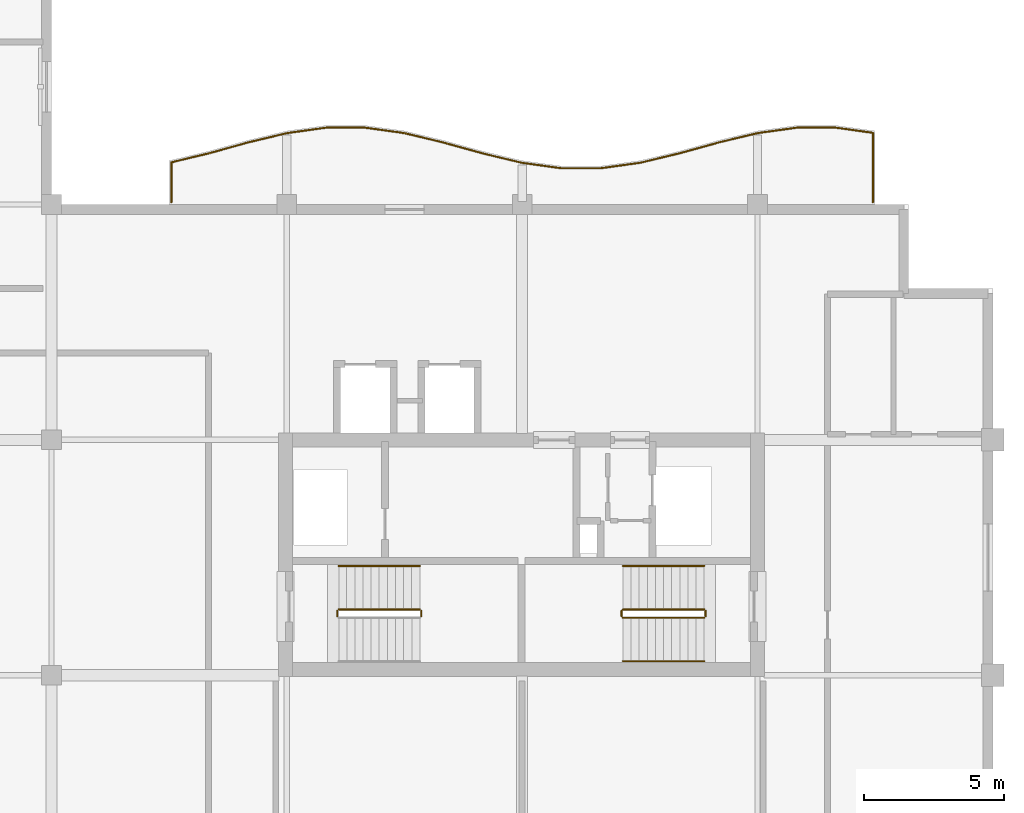
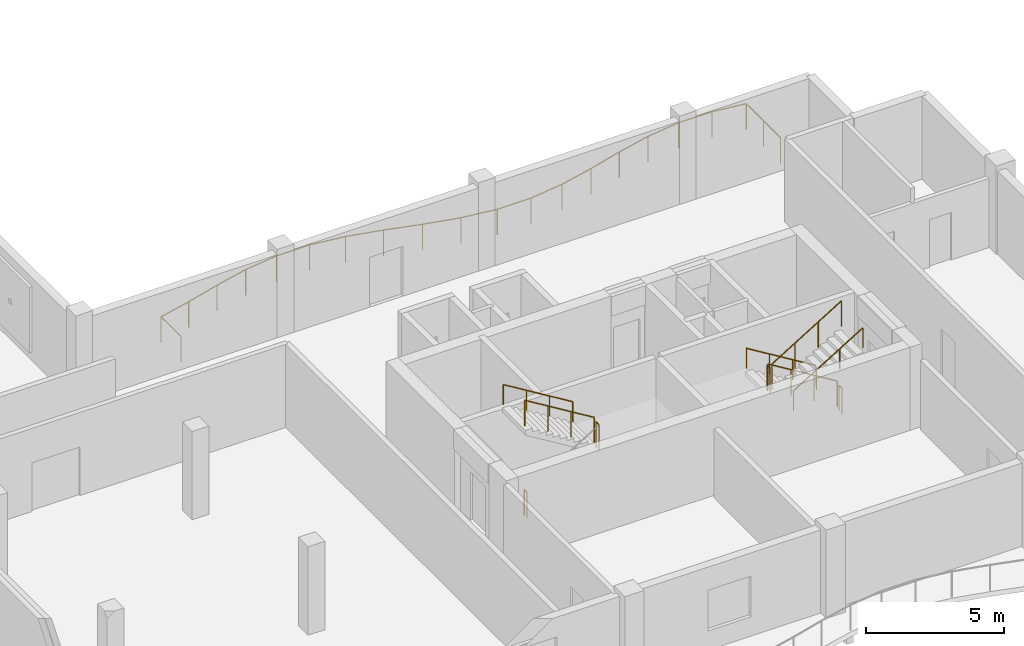
# One storey, part 10 of 11: 11 railings.
"""IFC4 building model written with IfcOpenShell, lengths in metres."""

from ifc_helpers import new_model, si_unit, direction, frame, origin, origin_2d, place, context, subcontext, project, spatial, circle, extrude, material, type_object, element, save


model = new_model("IFC4")

# Units and contexts
model_context = context("Model", 3, precision=1e-05, world=origin(), true_north=direction((0.0, 1.0)))
body_context = subcontext(model_context, "Body", "Model", "MODEL_VIEW")
ifc_project = project(units=[si_unit("LENGTHUNIT", "METRE"), si_unit("AREAUNIT", "SQUARE_METRE"), si_unit("VOLUMEUNIT", "CUBIC_METRE"), si_unit("PLANEANGLEUNIT", "RADIAN"), si_unit("MASSUNIT", "GRAM", prefix="KILO")], contexts=[model_context])

# Site, building, storey
site_placement = place(None, origin())
site = spatial("IfcSite", under=ifc_project, at=site_placement, CompositionType="ELEMENT")
building_placement = place(site_placement, origin())
building = spatial("IfcBuilding", under=site, at=building_placement, Name="Koriwani Terraces Tower", CompositionType="ELEMENT")
storey_placement = place(building_placement, frame((0.0, 0.0, 343.699951171875)))
storey = spatial("IfcBuildingStorey", under=building, at=storey_placement, Name="L85", CompositionType="ELEMENT", Elevation=343.699951171875)

# Railings
ifc_material = material(Name="Steel ASTM A572 Grade 50", Category="steel")
railing_type_1 = type_object("IfcRailingType", Name="GUARD_BALUSTRADE_1150", PredefinedType="BALUSTRADE", material=ifc_material)
railing_1_placement = place(storey_placement, frame((62.919921875, 33.679931640625, 0.0)))
element("IfcRailing", 1, at=railing_1_placement, inside=storey, type_object=railing_type_1, Name="L85 Balcony Perimeter Safety Balustrade (NE)", PredefinedType="BALUSTRADE", context=body_context, shape_type="SweptSolid", body=[
    extrude(circle(Radius=0.02392578125, at=origin_2d()), frame((0.0, 0.0, 1.1259765625), z_axis=(0.0, 1.0, 0.0), x_axis=(-1.0, 0.0, 0.0)), (0.0, 0.0, 1.0), 2.480712890625),
    extrude(circle(Radius=0.02392578125, at=origin_2d()), frame((0.0, 2.480712890625, 1.1259765625), z_axis=(-0.990517807296, 0.137384400238, 0.0), x_axis=(-0.137384400238, -0.990517807296, 0.0)), (0.0, 0.0, 1.0), 1.338134765625),
    extrude(circle(Radius=0.02392578125, at=origin_2d()), frame((-1.325439453125, 2.66455078125, 1.1259765625), z_axis=(-1.0, 0.0, 0.0), x_axis=(0.0, -1.0, 0.0)), (0.0, 0.0, 1.0), 1.388916015625),
    extrude(circle(Radius=0.02392578125, at=origin_2d()), frame((-2.71435546875, 2.66455078125, 1.1259765625), z_axis=(-0.990518583157, -0.137378806302, 0.0), x_axis=(0.137378806302, -0.990518583157, 0.0)), (0.0, 0.0, 1.0), 1.404052734375),
    extrude(circle(Radius=0.02392578125, at=origin_2d()), frame((-4.10498046875, 2.4716796875, 1.1259765625), z_axis=(-0.972362581689, -0.23347592966, 0.0), x_axis=(0.23347592966, -0.972362581689, 0.0)), (0.0, 0.0, 1.0), 1.4345703125),
    extrude(circle(Radius=0.02392578125, at=origin_2d()), frame((-5.5, 2.13671875, 1.1259765625), z_axis=(-0.963638196753, -0.267210452187, 0.0), x_axis=(0.267210452187, -0.963638196753, 0.0)), (0.0, 0.0, 1.0), 1.45263671875),
    extrude(circle(Radius=0.02392578125, at=origin_2d()), frame((-6.89990234375, 1.74853515625, 1.1259765625), z_axis=(-0.972404167631, -0.233302667738, 0.0), x_axis=(0.233302667738, -0.972404167631, 0.0)), (0.0, 0.0, 1.0), 1.445068359375),
    extrude(circle(Radius=0.02392578125, at=origin_2d()), frame((-8.30517578125, 1.411376953125, 1.1259765625), z_axis=(-0.990531206111, -0.137287762455, 0.0), x_axis=(0.137287762455, -0.990531206111, 0.0)), (0.0, 0.0, 1.0), 1.422607421875),
    extrude(circle(Radius=0.02392578125, at=origin_2d()), frame((-9.71435546875, 1.216064453125, 1.1259765625), z_axis=(-1.0, 0.0, 0.0), x_axis=(0.0, -1.0, 0.0)), (0.0, 0.0, 1.0), 1.4111328125),
    extrude(circle(Radius=0.02392578125, at=origin_2d()), frame((-11.12548828125, 1.216064453125, 1.1259765625), z_axis=(-0.990531206111, 0.137287762455, 0.0), x_axis=(-0.137287762455, -0.990531206111, 0.0)), (0.0, 0.0, 1.0), 1.422607421875),
    extrude(circle(Radius=0.02392578125, at=origin_2d()), frame((-12.53466796875, 1.411376953125, 1.1259765625), z_axis=(-0.972404167631, 0.233302667738, 0.0), x_axis=(-0.233302667738, -0.972404167631, 0.0)), (0.0, 0.0, 1.0), 1.445068359375),
    extrude(circle(Radius=0.02392578125, at=origin_2d()), frame((-13.93994140625, 1.74853515625, 1.1259765625), z_axis=(-0.963638196753, 0.267210452187, 0.0), x_axis=(-0.267210452187, -0.963638196753, 0.0)), (0.0, 0.0, 1.0), 1.45263671875),
    extrude(circle(Radius=0.02392578125, at=origin_2d()), frame((-15.33984375, 2.13671875, 1.1259765625), z_axis=(-0.972362581689, 0.23347592966, 0.0), x_axis=(-0.23347592966, -0.972362581689, 0.0)), (0.0, 0.0, 1.0), 1.4345703125),
    extrude(circle(Radius=0.02392578125, at=origin_2d()), frame((-16.73486328125, 2.4716796875, 1.1259765625), z_axis=(-0.990518583157, 0.137378806302, 0.0), x_axis=(-0.137378806302, -0.990518583157, 0.0)), (0.0, 0.0, 1.0), 1.404052734375),
    extrude(circle(Radius=0.02392578125, at=origin_2d()), frame((-18.12548828125, 2.66455078125, 1.1259765625), z_axis=(-1.0, 0.0, 0.0), x_axis=(0.0, -1.0, 0.0)), (0.0, 0.0, 1.0), 1.388916015625),
    extrude(circle(Radius=0.02392578125, at=origin_2d()), frame((-19.514404296875, 2.66455078125, 1.1259765625), z_axis=(-0.990518583157, -0.137378806302, 0.0), x_axis=(0.137378806302, -0.990518583157, 0.0)), (0.0, 0.0, 1.0), 1.404052734375),
    extrude(circle(Radius=0.02392578125, at=origin_2d()), frame((-20.905029296875, 2.4716796875, 1.1259765625), z_axis=(-0.972353303141, -0.233514568862, 0.0), x_axis=(0.233514568862, -0.972353303141, 0.0)), (0.0, 0.0, 1.0), 1.434326171875),
    extrude(circle(Radius=0.02392578125, at=origin_2d()), frame((-22.2998046875, 2.13671875, 1.1259765625), z_axis=(-0.963650193341, -0.26716718525, 0.0), x_axis=(0.26716718525, -0.963650193341, 0.0)), (0.0, 0.0, 1.0), 1.452880859375),
    extrude(circle(Radius=0.02392578125, at=origin_2d()), frame((-23.699951171875, 1.74853515625, 1.1259765625), z_axis=(-0.972361568172, -0.233480150638, 0.0), x_axis=(0.233480150638, -0.972361568172, 0.0)), (0.0, 0.0, 1.0), 1.378173828125),
    extrude(circle(Radius=0.02392578125, at=origin_2d()), frame((-25.0400390625, 1.4267578125, 1.1259765625), z_axis=(0.0, -1.0, 0.0), x_axis=(1.0, 0.0, 0.0)), (0.0, 0.0, 1.0), 1.4267578125),
    extrude(circle(Radius=0.02099609375, at=origin_2d()), origin(), (0.0, 0.0, 1.0), 1.101806640625),
    extrude(circle(Radius=0.02099609375, at=origin_2d()), frame((0.0, 1.240234375, 0.0)), (0.0, 0.0, 1.0), 1.101806640625),
    extrude(circle(Radius=0.02099609375, at=origin_2d()), frame((0.0, 2.480712890625, 0.0)), (0.0, 0.0, 1.0), 1.101806640625),
    extrude(circle(Radius=0.02099609375, at=origin_2d()), frame((-1.325439453125, 2.66455078125, 0.0)), (0.0, 0.0, 1.0), 1.101806640625),
    extrude(circle(Radius=0.02099609375, at=origin_2d()), frame((-2.71435546875, 2.66455078125, 0.0)), (0.0, 0.0, 1.0), 1.101806640625),
    extrude(circle(Radius=0.02099609375, at=origin_2d()), frame((-4.10498046875, 2.4716796875, 0.0)), (0.0, 0.0, 1.0), 1.101806640625),
    extrude(circle(Radius=0.02099609375, at=origin_2d()), frame((-5.5, 2.13671875, 0.0)), (0.0, 0.0, 1.0), 1.101806640625),
    extrude(circle(Radius=0.02099609375, at=origin_2d()), frame((-6.89990234375, 1.74853515625, 0.0)), (0.0, 0.0, 1.0), 1.101806640625),
    extrude(circle(Radius=0.02099609375, at=origin_2d()), frame((-8.30517578125, 1.411376953125, 0.0)), (0.0, 0.0, 1.0), 1.101806640625),
    extrude(circle(Radius=0.02099609375, at=origin_2d()), frame((-9.71435546875, 1.216064453125, 0.0)), (0.0, 0.0, 1.0), 1.101806640625),
    extrude(circle(Radius=0.02099609375, at=origin_2d()), frame((-11.12548828125, 1.216064453125, 0.0)), (0.0, 0.0, 1.0), 1.101806640625),
    extrude(circle(Radius=0.02099609375, at=origin_2d()), frame((-12.53466796875, 1.411376953125, 0.0)), (0.0, 0.0, 1.0), 1.101806640625),
    extrude(circle(Radius=0.02099609375, at=origin_2d()), frame((-13.93994140625, 1.74853515625, 0.0)), (0.0, 0.0, 1.0), 1.101806640625),
    extrude(circle(Radius=0.02099609375, at=origin_2d()), frame((-15.33984375, 2.13671875, 0.0)), (0.0, 0.0, 1.0), 1.101806640625),
    extrude(circle(Radius=0.02099609375, at=origin_2d()), frame((-16.73486328125, 2.4716796875, 0.0)), (0.0, 0.0, 1.0), 1.101806640625),
    extrude(circle(Radius=0.02099609375, at=origin_2d()), frame((-18.12548828125, 2.66455078125, 0.0)), (0.0, 0.0, 1.0), 1.101806640625),
    extrude(circle(Radius=0.02099609375, at=origin_2d()), frame((-19.514404296875, 2.66455078125, 0.0)), (0.0, 0.0, 1.0), 1.101806640625),
    extrude(circle(Radius=0.02099609375, at=origin_2d()), frame((-20.905029296875, 2.4716796875, 0.0)), (0.0, 0.0, 1.0), 1.101806640625),
    extrude(circle(Radius=0.02099609375, at=origin_2d()), frame((-22.2998046875, 2.13671875, 0.0)), (0.0, 0.0, 1.0), 1.101806640625),
    extrude(circle(Radius=0.02099609375, at=origin_2d()), frame((-23.699951171875, 1.74853515625, 0.0)), (0.0, 0.0, 1.0), 1.101806640625),
    extrude(circle(Radius=0.02099609375, at=origin_2d()), frame((-25.0400390625, 1.4267578125, 0.0)), (0.0, 0.0, 1.0), 1.101806640625),
    extrude(circle(Radius=0.02099609375, at=origin_2d()), frame((-25.0400390625, 0.0, 0.0)), (0.0, 0.0, 1.0), 1.101806640625),
])
railing_type_2 = type_object("IfcRailingType", Name="GUARD_STAIR_WELL_1120", PredefinedType="GUARDRAIL", material=ifc_material)
railing_2_placement = place(storey_placement, frame((46.800048828125, 18.89990234375, 1.949951171875)))
element("IfcRailing", 2, at=railing_2_placement, inside=storey, type_object=railing_type_2, Name="L85 ST-E1 stair guard 2", PredefinedType="GUARDRAIL", context=body_context, shape_type="SweptSolid", body=[
    extrude(circle(Radius=0.02392578125, at=origin_2d()), frame((0.0, 0.0, 1.1259765625), z_axis=(0.0, 1.0, 0.0), x_axis=(-1.0, 0.0, 0.0)), (0.0, 0.0, 1.0), 0.2001953125),
    extrude(circle(Radius=0.02099609375, at=origin_2d()), origin(), (0.0, 0.0, 1.0), 1.101806640625),
    extrude(circle(Radius=0.02099609375, at=origin_2d()), frame((0.0, 0.2001953125, 0.0)), (0.0, 0.0, 1.0), 1.101806640625),
])
railing_3_placement = place(storey_placement, frame((46.75, 19.14990234375, 2.12744140625)))
element("IfcRailing", 3, at=railing_3_placement, inside=storey, type_object=railing_type_2, Name="L85 ST-E1 stair guard 3", PredefinedType="GUARDRAIL", context=body_context, shape_type="SweptSolid", body=[
    extrude(circle(Radius=0.02392578125, at=origin_2d()), frame((0.0, 0.0, 1.1259765625), z_axis=(-0.853210801645, 0.0, 0.521566225858), x_axis=(0.0, -1.0, 0.0)), (0.0, 0.0, 1.0), 3.39892578125),
    extrude(circle(Radius=0.02099609375, at=origin_2d()), origin(), (0.0, 0.0, 1.0), 1.101806640625),
    extrude(circle(Radius=0.02099609375, at=origin_2d()), frame((-0.966552734375, 0.0, 0.5908203125)), (0.0, 0.0, 1.0), 1.101806640625),
    extrude(circle(Radius=0.02099609375, at=origin_2d()), frame((-1.933349609375, 0.0, 1.181884765625)), (0.0, 0.0, 1.0), 1.101806640625),
    extrude(circle(Radius=0.02099609375, at=origin_2d()), frame((-2.89990234375, 0.0, 1.772705078125)), (0.0, 0.0, 1.0), 1.101806640625),
])
railing_4_placement = place(storey_placement, frame((43.800048828125, 18.89990234375, 0.0)))
element("IfcRailing", 4, at=railing_4_placement, inside=storey, type_object=railing_type_2, Name="L85 ST-E1 stair guard 4", PredefinedType="GUARDRAIL", context=body_context, shape_type="SweptSolid", body=[
    extrude(circle(Radius=0.02392578125, at=origin_2d()), frame((0.0, 0.0, 1.1259765625), z_axis=(0.0, 1.0, 0.0), x_axis=(-1.0, 0.0, 0.0)), (0.0, 0.0, 1.0), 0.2001953125),
    extrude(circle(Radius=0.02099609375, at=origin_2d()), origin(), (0.0, 0.0, 1.0), 1.101806640625),
    extrude(circle(Radius=0.02099609375, at=origin_2d()), frame((0.0, 0.2001953125, 0.0)), (0.0, 0.0, 1.0), 1.101806640625),
])
railing_5_placement = place(storey_placement, frame((56.89990234375, 19.14990234375, 0.17724609375)))
element("IfcRailing", 5, at=railing_5_placement, inside=storey, type_object=railing_type_2, Name="L85 ST-E2 stair guard 1", PredefinedType="GUARDRAIL", context=body_context, shape_type="SweptSolid", body=[
    extrude(circle(Radius=0.02392578125, at=origin_2d()), frame((0.0, 0.0, 1.1259765625), z_axis=(-0.853210801645, 0.0, 0.521566225858), x_axis=(0.0, -1.0, 0.0)), (0.0, 0.0, 1.0), 3.39892578125),
    extrude(circle(Radius=0.02099609375, at=origin_2d()), origin(), (0.0, 0.0, 1.0), 1.101806640625),
    extrude(circle(Radius=0.02099609375, at=origin_2d()), frame((-0.966552734375, 0.0, 0.5908203125)), (0.0, 0.0, 1.0), 1.101806640625),
    extrude(circle(Radius=0.02099609375, at=origin_2d()), frame((-1.933349609375, 0.0, 1.181884765625)), (0.0, 0.0, 1.0), 1.101806640625),
    extrude(circle(Radius=0.02099609375, at=origin_2d()), frame((-2.89990234375, 0.0, 1.772705078125)), (0.0, 0.0, 1.0), 1.101806640625),
])
railing_6_placement = place(storey_placement, frame((53.949951171875, 19.10009765625, 1.949951171875)))
element("IfcRailing", 6, at=railing_6_placement, inside=storey, type_object=railing_type_2, Name="L85 ST-E2 stair guard 2", PredefinedType="GUARDRAIL", context=body_context, shape_type="SweptSolid", body=[
    extrude(circle(Radius=0.02392578125, at=origin_2d()), frame((0.0, 0.0, 1.1259765625), z_axis=(0.0, -1.0, 0.0), x_axis=(1.0, 0.0, 0.0)), (0.0, 0.0, 1.0), 0.2001953125),
    extrude(circle(Radius=0.02099609375, at=origin_2d()), origin(), (0.0, 0.0, 1.0), 1.101806640625),
    extrude(circle(Radius=0.02099609375, at=origin_2d()), frame((0.0, -0.2001953125, 0.0)), (0.0, 0.0, 1.0), 1.101806640625),
])
railing_7_placement = place(storey_placement, frame((54.0, 18.85009765625, 2.12744140625)))
element("IfcRailing", 7, at=railing_7_placement, inside=storey, type_object=railing_type_2, Name="L85 ST-E2 stair guard 3", PredefinedType="GUARDRAIL", context=body_context, shape_type="SweptSolid", body=[
    extrude(circle(Radius=0.02392578125, at=origin_2d()), frame((0.0, 0.0, 1.1259765625), z_axis=(0.853210801645, 0.0, 0.521566225858), x_axis=(0.0, 1.0, 0.0)), (0.0, 0.0, 1.0), 3.39892578125),
    extrude(circle(Radius=0.02099609375, at=origin_2d()), origin(), (0.0, 0.0, 1.0), 1.101806640625),
    extrude(circle(Radius=0.02099609375, at=origin_2d()), frame((0.966552734375, 0.0, 0.5908203125)), (0.0, 0.0, 1.0), 1.101806640625),
    extrude(circle(Radius=0.02099609375, at=origin_2d()), frame((1.933349609375, 0.0, 1.181884765625)), (0.0, 0.0, 1.0), 1.101806640625),
    extrude(circle(Radius=0.02099609375, at=origin_2d()), frame((2.89990234375, 0.0, 1.772705078125)), (0.0, 0.0, 1.0), 1.101806640625),
])
railing_8_placement = place(storey_placement, frame((56.949951171875, 19.10009765625, 0.0)))
element("IfcRailing", 8, at=railing_8_placement, inside=storey, type_object=railing_type_2, Name="L85 ST-E2 stair guard 4", PredefinedType="GUARDRAIL", context=body_context, shape_type="SweptSolid", body=[
    extrude(circle(Radius=0.02392578125, at=origin_2d()), frame((0.0, 0.0, 1.1259765625), z_axis=(0.0, -1.0, 0.0), x_axis=(1.0, 0.0, 0.0)), (0.0, 0.0, 1.0), 0.2001953125),
    extrude(circle(Radius=0.02099609375, at=origin_2d()), origin(), (0.0, 0.0, 1.0), 1.101806640625),
    extrude(circle(Radius=0.02099609375, at=origin_2d()), frame((0.0, -0.2001953125, 0.0)), (0.0, 0.0, 1.0), 1.101806640625),
])
railing_type_3 = type_object("IfcRailingType", Name="HANDRAIL_STAIR_920", PredefinedType="HANDRAIL", material=ifc_material)
for number, where, name in (
    (9, (46.75, 20.699951171875, 2.12744140625), "L85 ST-E1 stair handrail 2"),
    (10, (56.89990234375, 20.699951171875, 0.17724609375), "L85 ST-E2 stair handrail 1"),
):
    element("IfcRailing", number, at=place(storey_placement, frame(where)), inside=storey, type_object=railing_type_3, Name=name, PredefinedType="HANDRAIL", context=body_context, shape_type="SweptSolid", body=[
        extrude(circle(Radius=0.02392578125, at=origin_2d()), frame((0.0, 0.0, 0.8759765625), z_axis=(-0.853210801645, 0.0, 0.521566225858), x_axis=(0.0, -1.0, 0.0)), (0.0, 0.0, 1.0), 3.39892578125),
        extrude(circle(Radius=0.02099609375, at=origin_2d()), origin(), (0.0, 0.0, 1.0), 0.851806640625),
        extrude(circle(Radius=0.02099609375, at=origin_2d()), frame((-0.966552734375, 0.0, 0.5908203125)), (0.0, 0.0, 1.0), 0.851806640625),
        extrude(circle(Radius=0.02099609375, at=origin_2d()), frame((-1.933349609375, 0.0, 1.181884765625)), (0.0, 0.0, 1.0), 0.851806640625),
        extrude(circle(Radius=0.02099609375, at=origin_2d()), frame((-2.89990234375, 0.0, 1.772705078125)), (0.0, 0.0, 1.0), 0.851806640625),
    ])
railing_9_placement = place(storey_placement, frame((54.0, 17.300048828125, 2.12744140625)))
element("IfcRailing", 11, at=railing_9_placement, inside=storey, type_object=railing_type_3, Name="L85 ST-E2 stair handrail 2", PredefinedType="HANDRAIL", context=body_context, shape_type="SweptSolid", body=[
    extrude(circle(Radius=0.02392578125, at=origin_2d()), frame((0.0, 0.0, 0.8759765625), z_axis=(0.853210801645, 0.0, 0.521566225858), x_axis=(0.0, 1.0, 0.0)), (0.0, 0.0, 1.0), 3.39892578125),
    extrude(circle(Radius=0.02099609375, at=origin_2d()), origin(), (0.0, 0.0, 1.0), 0.851806640625),
    extrude(circle(Radius=0.02099609375, at=origin_2d()), frame((0.966552734375, 0.0, 0.5908203125)), (0.0, 0.0, 1.0), 0.851806640625),
    extrude(circle(Radius=0.02099609375, at=origin_2d()), frame((1.933349609375, 0.0, 1.181884765625)), (0.0, 0.0, 1.0), 0.851806640625),
    extrude(circle(Radius=0.02099609375, at=origin_2d()), frame((2.89990234375, 0.0, 1.772705078125)), (0.0, 0.0, 1.0), 0.851806640625),
])

save(model, "model.ifc")
